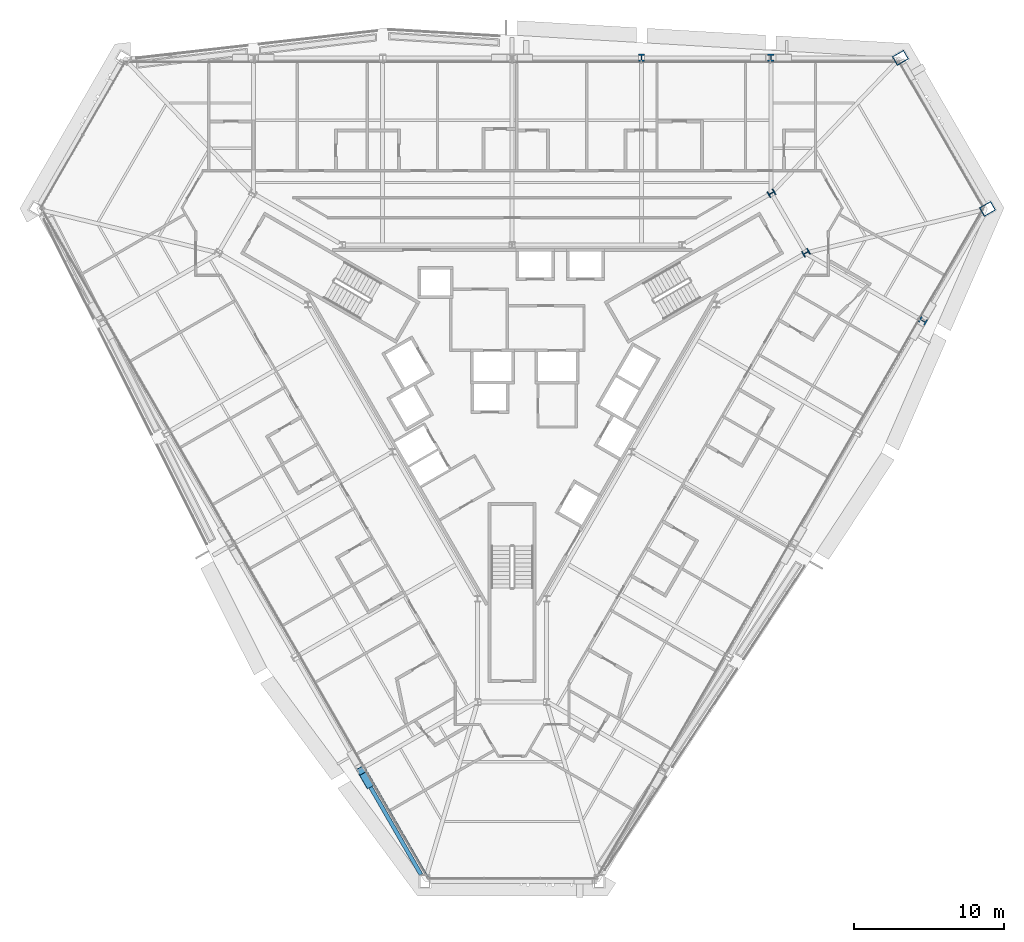
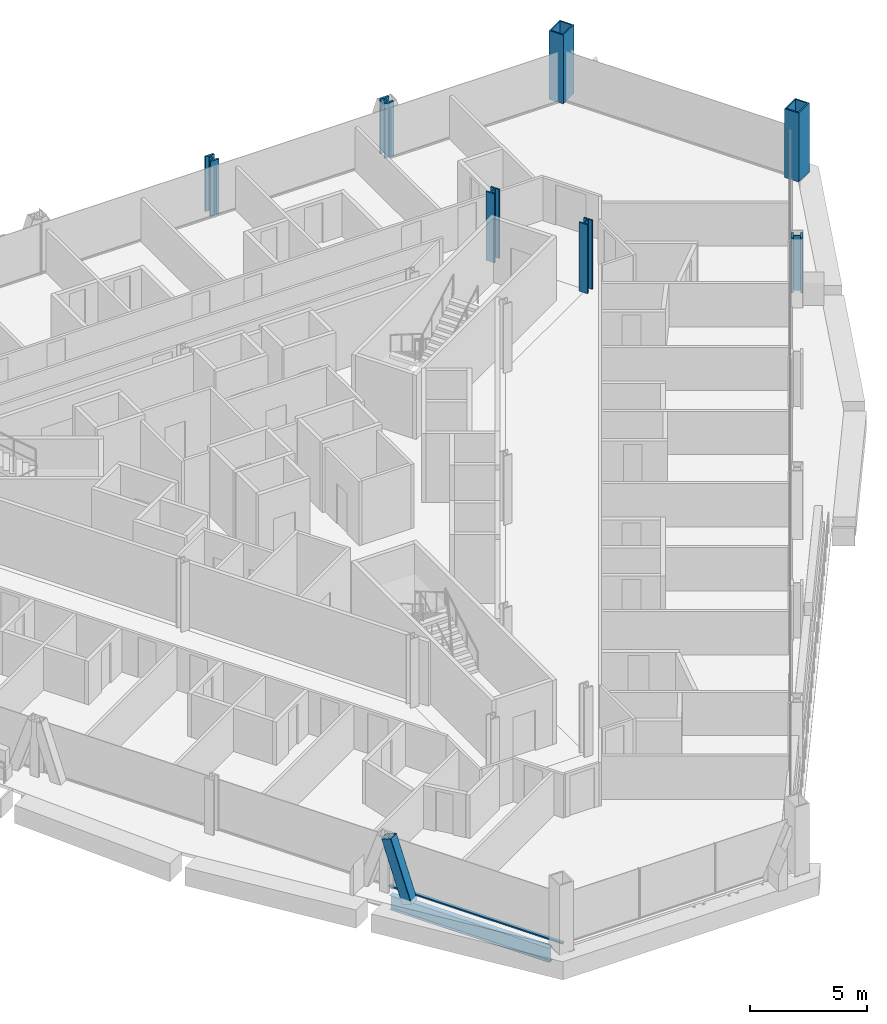
# One storey, part 2 of 18: 7 columns, 2 members, 1 beam, 1 element without a shape of its own.
"""IFC4 building model written with IfcOpenShell, lengths in metres."""

from ifc_helpers import new_model, si_unit, direction, frame, origin, origin_2d, place, context, subcontext, project, spatial, rectangle, hollow_rectangle, i_section, extrude, material, material_profile, profile_set, type_object, element, aggregate, save


model = new_model("IFC4")

# Units and contexts
model_context = context("Model", 3, precision=1e-05, world=origin(), true_north=direction((0.0, 1.0)))
body_context = subcontext(model_context, "Body", "Model", "MODEL_VIEW")
ifc_project = project(units=[si_unit("LENGTHUNIT", "METRE"), si_unit("AREAUNIT", "SQUARE_METRE"), si_unit("VOLUMEUNIT", "CUBIC_METRE"), si_unit("PLANEANGLEUNIT", "RADIAN"), si_unit("MASSUNIT", "GRAM", prefix="KILO")], contexts=[model_context])

# Site, building, storey
site_placement = place(None, origin())
site = spatial("IfcSite", under=ifc_project, at=site_placement, CompositionType="ELEMENT")
building_placement = place(site_placement, origin())
building = spatial("IfcBuilding", under=site, at=building_placement, Name="Verrane Prism Tower", CompositionType="ELEMENT")
storey_placement = place(building_placement, frame((0.0, 0.0, 83.60009765625)))
storey = spatial("IfcBuildingStorey", under=building, at=storey_placement, Name="L19", CompositionType="ELEMENT", Elevation=83.60009765625)

# Columns
ifc_material_1 = material(Name="Steel A992", Category="steel")
ifc_material_profile_1 = material_profile(ifc_material_1, i_section(OverallWidth=0.419189453125, OverallDepth=0.45458984375, WebThickness=0.042236328125, FlangeThickness=0.067626953125, FilletRadius=0.01513671875, at=origin_2d()), Name="W14x370")
ifc_profile_set_1 = profile_set([ifc_material_profile_1], Name="Steel A992")
column_type_1 = type_object("IfcColumnType", Name="Core corner column W14x370", PredefinedType="COLUMN", material=ifc_profile_set_1)
for number, where, z_axis, x_axis, name in (
    (1, (19.60009765625, 8.659912109375, 0.0), (0.0, 0.0, 1.0), (0.5, -0.866025403784, 0.0), "Core corner column CK-NEm L19"),
    (2, (17.300048828125, 12.639892578125, 0.0), (0.0, 0.0, 1.0), (0.5, -0.866025403784, 0.0), "Core corner column CK-NEp L19"),
):
    element("IfcColumn", number, at=place(storey_placement, frame(where, z_axis=z_axis, x_axis=x_axis)), inside=storey, type_object=column_type_1, Name=name, PredefinedType="COLUMN", context=body_context, shape_type="SweptSolid", body=[
        extrude(i_section(OverallWidth=0.419189453125, OverallDepth=0.45458984375, WebThickness=0.042236328125, FlangeThickness=0.067626953125, FilletRadius=0.01513671875, at=origin_2d()), origin(), (0.0, 0.0, 1.0), 3.599853515625),
    ])
ifc_material_2 = material(Name="Steel A572 Grade 50", Category="steel")
ifc_material_profile_2 = material_profile(ifc_material_2, hollow_rectangle(XDim=0.699951171875, YDim=0.89990234375, WallThickness=0.06494140625, at=origin_2d()), Name="BOX 900x700x65")
ifc_profile_set_2 = profile_set([ifc_material_profile_2], Name="Steel A572 Grade 50")
column_type_2 = type_object("IfcColumnType", Name="Megacolumn BOX 900x700x65", PredefinedType="COLUMN", material=ifc_profile_set_2)
for number, where, z_axis, x_axis, name in (
    (3, (25.89990234375, 21.669921875, 0.0), (0.0, 0.0, 1.0), (0.5, -0.866025403784, 0.0), "Megacolumn MC-NE.b L19"),
    (4, (31.7099609375, 11.590087890625, 0.0), (0.0, 0.0, 1.0), (0.5, -0.866025403784, 0.0), "Megacolumn MC-NE.a L19"),
):
    element("IfcColumn", number, at=place(storey_placement, frame(where, z_axis=z_axis, x_axis=x_axis)), inside=storey, type_object=column_type_2, Name=name, PredefinedType="COLUMN", context=body_context, shape_type="SweptSolid", body=[
        extrude(hollow_rectangle(XDim=0.699951171875, YDim=0.89990234375, WallThickness=0.06494140625, at=origin_2d()), origin(), (0.0, 0.0, 1.0), 3.599853515625),
    ])
ifc_material_3 = material(Name="Steel A992", Category="steel")
ifc_material_profile_3 = material_profile(ifc_material_3, i_section(OverallWidth=0.431884765625, OverallDepth=0.497802734375, WebThickness=0.0556640625, FlangeThickness=0.0888671875, FilletRadius=0.01513671875, at=origin_2d()), Name="W14x500")
ifc_profile_set_3 = profile_set([ifc_material_profile_3], Name="Steel A992")
column_type_3 = type_object("IfcColumnType", Name="Perimeter column W14x500", PredefinedType="COLUMN", material=ifc_profile_set_3)
for number, where, z_axis, x_axis, name in (
    (5, (17.260009765625, 21.669921875, 0.0), (0.0, 0.0, 1.0), (1.0, 0.0, 0.0), "Perimeter column PC-N1 L19"),
    (6, (8.6298828125, 21.669921875, 0.0), (0.0, 0.0, 1.0), (1.0, 0.0, 0.0), "Perimeter column PC-N2 L19"),
    (7, (27.39990234375, 4.1201171875, 0.0), (0.0, 0.0, 1.0), (-0.5, -0.866025403784, 0.0), "Perimeter column PC-SE5 L19"),
):
    element("IfcColumn", number, at=place(storey_placement, frame(where, z_axis=z_axis, x_axis=x_axis)), inside=storey, type_object=column_type_3, Name=name, PredefinedType="COLUMN", context=body_context, shape_type="SweptSolid", body=[
        extrude(i_section(OverallWidth=0.431884765625, OverallDepth=0.497802734375, WebThickness=0.0556640625, FlangeThickness=0.0888671875, FilletRadius=0.01513671875, at=origin_2d()), origin(), (0.0, 0.0, 1.0), 2.869873046875),
    ])

# Member
ifc_material_4 = material(Name="Steel A1085 Grade A", Category="steel")
ifc_material_profile_4 = material_profile(ifc_material_4, hollow_rectangle(XDim=0.508056640625, YDim=0.508056640625, WallThickness=0.025390625, InnerFilletRadius=0.0126953125, OuterFilletRadius=0.0380859375, at=origin_2d()), Name="HSS20x20x1")
ifc_profile_set_4 = profile_set([ifc_material_profile_4], Name="Steel A1085 Grade A")
member_type_1 = type_object("IfcMemberType", Name="Facade brace HSS20x20x1", PredefinedType="BRACE", material=ifc_profile_set_4)
member_1_placement = place(storey_placement, frame((-9.56396484375, -26.771240234375, -0.24267578125), z_axis=(-0.159367501324, 0.275044764359, 0.948130991541), x_axis=(-0.865247457204, -0.501345028701, 0.0)))
element("IfcMember", 8, at=member_1_placement, inside=storey, type_object=member_type_1, Name="Facade brace SW5 L19", PredefinedType="BRACE", context=body_context, shape_type="SweptSolid", body=[
    extrude(hollow_rectangle(XDim=0.508056640625, YDim=0.508056640625, WallThickness=0.025390625, InnerFilletRadius=0.0126953125, OuterFilletRadius=0.0380859375, at=origin_2d()), origin(), (0.0, 0.0, 1.0), 3.2353515625),
])

# Beam
ifc_material_5 = material(Name="Steel A992", Category="steel")
ifc_material_profile_5 = material_profile(ifc_material_5, i_section(OverallWidth=0.2666015625, OverallDepth=0.7568359375, WebThickness=0.013916015625, FlangeThickness=0.019287109375, FilletRadius=0.0166015625, at=origin_2d()), Name="W30x108")
ifc_profile_set_5 = profile_set([ifc_material_profile_5], Name="Steel A992")
beam_type = type_object("IfcBeamType", Name="Spandrel beam W30x108", PredefinedType="SPANDREL", material=ifc_profile_set_5)
beam_placement = place(storey_placement, frame((-10.022216796875, -25.97705078125, -0.53857421875), z_axis=(0.499770677184, -0.866157762897, 0.0), x_axis=(0.866157762897, 0.499770677184, 0.0)))
element("IfcBeam", 9, at=beam_placement, inside=storey, type_object=beam_type, Name="Spandrel beam L19", PredefinedType="SPANDREL", context=body_context, shape_type="SweptSolid", body=[
    extrude(i_section(OverallWidth=0.2666015625, OverallDepth=0.7568359375, WebThickness=0.013916015625, FlangeThickness=0.019287109375, FilletRadius=0.0166015625, at=origin_2d()), origin(), (0.0, 0.0, 1.0), 7.888916015625),
])

# Curtain wall, member
ifc_material_6 = material(Name="Aluminium framed insulated glazing", Category="aluminium")
curtain_wall_type = type_object("IfcCurtainWallType", Name="Curtain wall CW-A 8400 module", PredefinedType="NOTDEFINED", material=ifc_material_6)
curtain_wall_placement = place(storey_placement, origin())
curtain_wall = element("IfcCurtainWall", 10, at=curtain_wall_placement, inside=storey, type_object=curtain_wall_type, Name="Glazed curtain wall south-west face L19", PredefinedType="NOTDEFINED")
ifc_material_7 = material(Name="Aluminium alloy 6063-T6", Category="aluminium")
ifc_material_profile_6 = material_profile(ifc_material_7, rectangle(XDim=0.14990234375, YDim=0.070068359375, at=origin_2d()), Name="Transom 70x150 aluminium")
ifc_profile_set_6 = profile_set([ifc_material_profile_6], Name="Aluminium alloy 6063-T6")
member_type_2 = type_object("IfcMemberType", Name="Transom 70x150 aluminium", PredefinedType="USERDEFINED", material=ifc_profile_set_6)
member_2_placement = place(storey_placement, frame((-9.900146484375, -25.634521484375, 0.034912109375), z_axis=(0.499998569178, -0.866026229868, 0.0), x_axis=(0.866026229868, 0.499998569178, 0.0)))
member_2 = element("IfcMember", 11, at=member_2_placement, type_object=member_type_2, Name="CW17.4 transom 6", ObjectType="TRANSOM", PredefinedType="USERDEFINED", context=body_context, shape_type="SweptSolid", body=[
    extrude(rectangle(XDim=0.14990234375, YDim=0.070068359375, at=origin_2d()), origin(), (0.0, 0.0, 1.0), 8.572265625),
])
aggregate(curtain_wall, [member_2])

save(model, "model.ifc")
